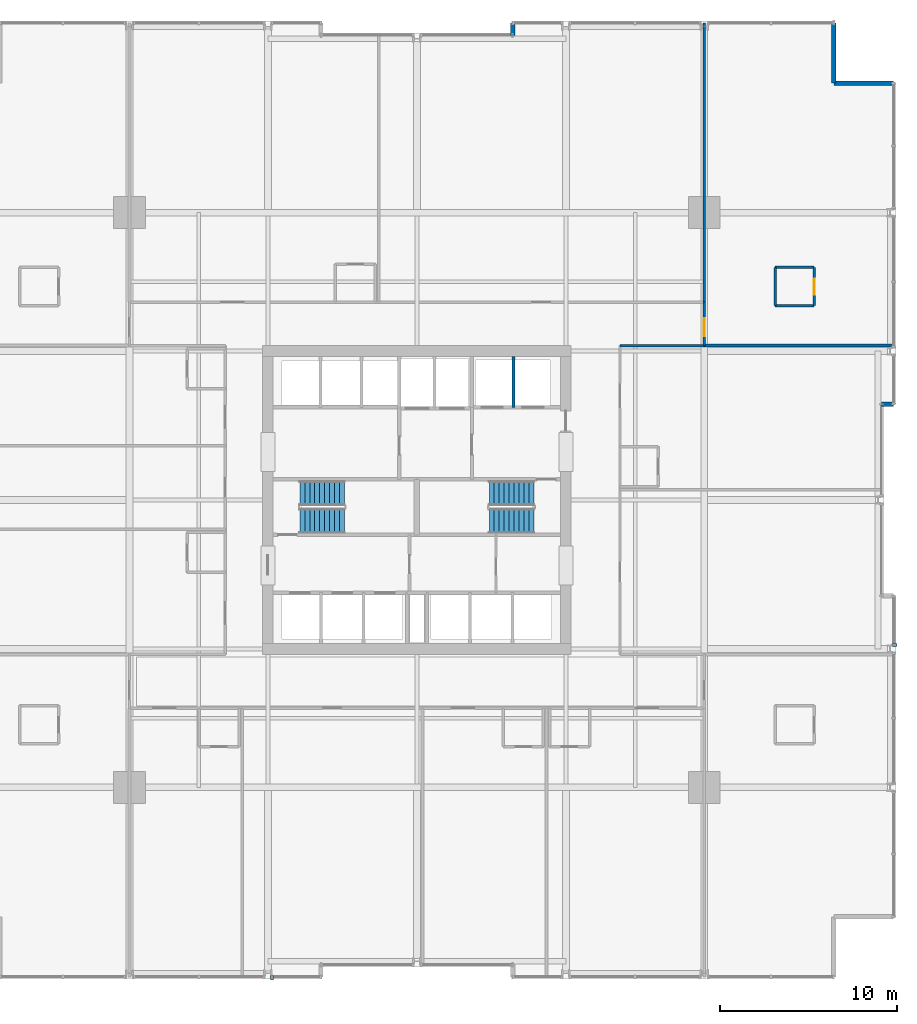
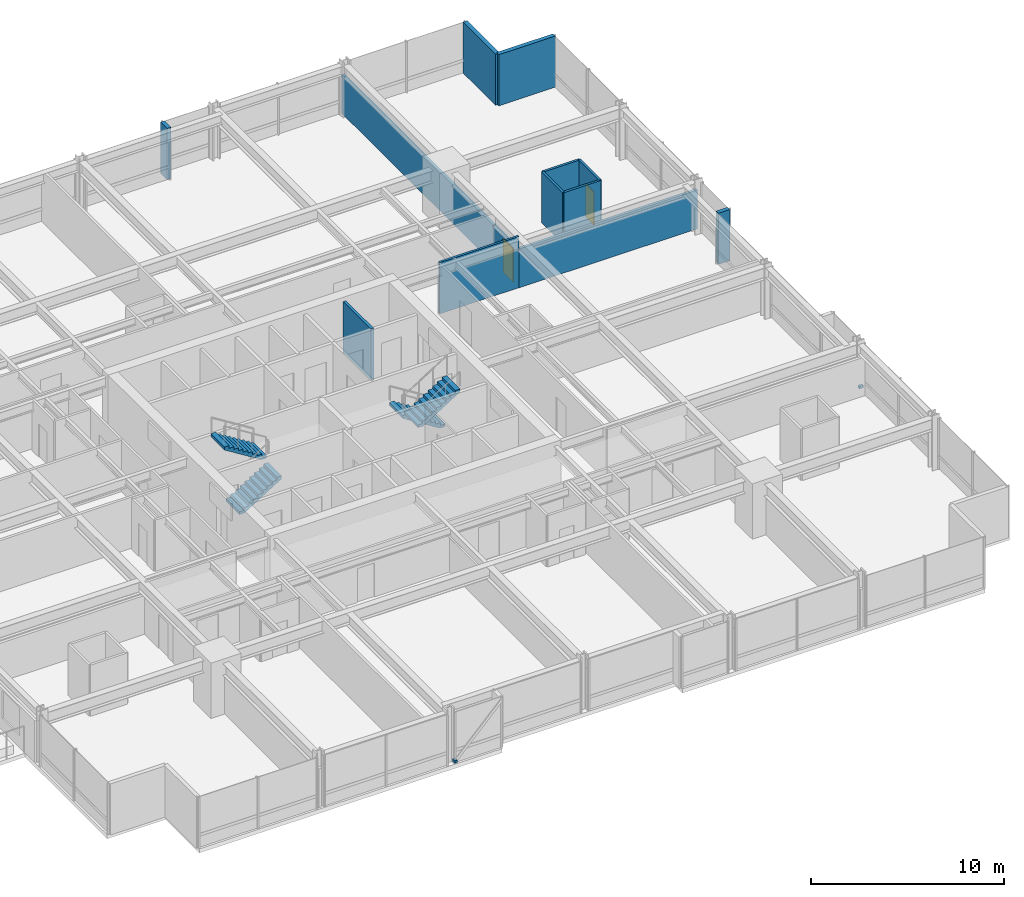
# One storey, part 33 of 37: 13 walls, 4 stair flights, 2 discrete accessories, 2 doors, 2 openings, 2 elements without a shape of their own.
"""IFC4 building model written with IfcOpenShell, lengths in metres."""

from ifc_helpers import new_model, si_unit, direction, frame, frame_2d, origin, origin_2d, place, context, subcontext, project, spatial, polyline, rectangle, outline, extrude, material, layer, layer_set, type_object, element, fill, aggregate, save


model = new_model("IFC4")

# Units and contexts
model_context = context("Model", 3, precision=1e-05, world=origin(), true_north=direction((0.0, 1.0)))
body_context = subcontext(model_context, "Body", "Model", "MODEL_VIEW")
ifc_project = project(units=[si_unit("LENGTHUNIT", "METRE"), si_unit("AREAUNIT", "SQUARE_METRE"), si_unit("VOLUMEUNIT", "CUBIC_METRE"), si_unit("PLANEANGLEUNIT", "RADIAN"), si_unit("MASSUNIT", "GRAM", prefix="KILO")], contexts=[model_context])

# Site, building, storey
site_placement = place(None, origin())
site = spatial("IfcSite", under=ifc_project, at=site_placement, CompositionType="ELEMENT")
building_placement = place(site_placement, origin())
building = spatial("IfcBuilding", under=site, at=building_placement, Name="Drelvath Grand Hotel", CompositionType="ELEMENT")
storey_placement = place(building_placement, frame((0.0, 0.0, 75.199951171875)))
storey = spatial("IfcBuildingStorey", under=building, at=storey_placement, Name="L18", CompositionType="ELEMENT", Elevation=75.199951171875)

# Walls
ifc_material_1 = material(Name="Gypsum Fireboard Partition")
ifc_layer_1 = layer(ifc_material_1, 0.1650390625)
ifc_layer_set_1 = layer_set([ifc_layer_1], Name="Gypsum Fireboard Partition")
wall_type_1 = type_object("IfcWallType", Name="Core Shaft Partition 165", PredefinedType="PARTITIONING", material=ifc_layer_set_1)
wall_1_placement = place(storey_placement, frame((5.449951171875, 32.219970703125, 0.0), z_axis=(0.0, 0.0, 1.0), x_axis=(0.0, 1.0, 0.0)))
element("IfcWall", 1, at=wall_1_placement, inside=storey, type_object=wall_type_1, Name="L18 FSAE Hoistway Divider", PredefinedType="PARTITIONING", context=body_context, shape_type="SweptSolid", body=[
    extrude(rectangle(XDim=2.880126953125, YDim=0.1650390625, at=frame_2d((1.43994140625, 0.0))), origin(), (0.0, 0.0, 1.0), 3.239990234375),
])
ifc_layer_2 = layer(ifc_material_1, 0.135009765625)
ifc_layer_set_2 = layer_set([ifc_layer_2], Name="Gypsum Fireboard Partition")
wall_type_2 = type_object("IfcWallType", Name="Corridor Fire Barrier Wall 135", PredefinedType="PARTITIONING", material=ifc_layer_set_2)
wall_2_placement = place(storey_placement, frame((11.449951171875, 35.699951171875, 0.0), z_axis=(0.0, 0.0, 1.0), x_axis=(1.0, 0.0, 0.0)))
element("IfcWall", 2, at=wall_2_placement, inside=storey, type_object=wall_type_2, Name="L18 NE Spur Inner Wall", PredefinedType="PARTITIONING", context=body_context, shape_type="SweptSolid", body=[
    extrude(rectangle(XDim=4.75, YDim=0.135009765625, at=frame_2d((2.375, 0.0))), origin(), (0.0, 0.0, 1.0), 3.239990234375),
])

# Wall, opening, door
wall_3_placement = place(storey_placement, frame((16.199951171875, 35.699951171875, 0.0), z_axis=(0.0, 0.0, 1.0), x_axis=(0.0, 1.0, 0.0)))
wall_3 = element("IfcWall", 3, at=wall_3_placement, inside=storey, type_object=wall_type_2, Name="L18 North Corridor East End", PredefinedType="PARTITIONING", context=body_context, shape_type="SweptSolid", body=[
    extrude(rectangle(XDim=2.449951171875, YDim=0.135009765625, at=frame_2d((1.22509765625, 0.0))), origin(), (0.0, 0.0, 1.0), 2.451904296875),
])
opening_1_placement = place(wall_3_placement, frame((0.52001953125, 0.0, 0.0)))
opening_1 = element("IfcOpeningElement", 4, at=opening_1_placement, cuts=wall_3, Name="Opening D-T1G5-023", PredefinedType="OPENING", context=body_context, shape_type="SweptSolid", body=[
    extrude(rectangle(XDim=1.02001953125, YDim=2.14990234375, at=frame_2d((0.510009765625, 1.074951171875))), frame((0.0, 0.077392578125, 0.0), z_axis=(0.0, -1.0, 0.0), x_axis=(1.0, 0.0, 0.0)), (0.0, 0.0, 1.0), 0.155029296875),
])
ifc_material_2 = material(Name="Hardwood Walnut Timber", Category="wood")
door_type_1 = type_object("IfcDoorType", Name="Amenity Meeting Fire Door 1020x2150", OperationType="NOTDEFINED", PredefinedType="DOOR", material=ifc_material_2)
door_1_placement = place(opening_1_placement, origin())
door_1 = element("IfcDoor", 5, at=door_1_placement, inside=storey, type_object=door_type_1, Name="L18 Corner Suite Entry Door", OperationType="SINGLE_SWING_RIGHT", OverallHeight=2.14990234375, OverallWidth=1.02001953125, PredefinedType="DOOR", context=body_context, shape_type="SweptSolid", body=[
    extrude(rectangle(XDim=1.02001953125, YDim=2.14990234375, at=frame_2d((0.510009765625, 1.074951171875))), frame((0.0, 0.02490234375, 0.0), z_axis=(0.0, -1.0, 0.0), x_axis=(1.0, 0.0, 0.0)), (0.0, 0.0, 1.0), 0.050048828125),
])
fill(opening_1, door_1)

# Walls
ifc_material_3 = material(Name="Moisture-Resistant Gypsum Board")
ifc_layer_3 = layer(ifc_material_3, 0.139892578125)
ifc_layer_set_3 = layer_set([ifc_layer_3], Name="Moisture-Resistant Gypsum Board")
wall_type_3 = type_object("IfcWallType", Name="En-Suite Plumbing Wall 140", PredefinedType="PLUMBINGWALL", material=ifc_layer_set_3)
for number, where, z_axis, x_axis, name in (
    (6, (20.199951171875, 37.9599609375, 0.0), (0.0, 0.0, 1.0), (1.0, 0.0, 0.0), "L18 Corner En-Suite South"),
    (7, (20.199951171875, 40.110107421875, 0.0), (0.0, 0.0, 1.0), (1.0, 0.0, 0.0), "L18 Corner En-Suite North"),
):
    element("IfcWall", number, at=place(storey_placement, frame(where, z_axis=z_axis, x_axis=x_axis)), inside=storey, type_object=wall_type_3, Name=name, PredefinedType="PLUMBINGWALL", context=body_context, shape_type="SweptSolid", body=[
        extrude(rectangle(XDim=2.199951171875, YDim=0.139892578125, at=frame_2d((1.10009765625, 0.0))), origin(), (0.0, 0.0, 1.0), 3.239990234375),
    ])
wall_4_placement = place(storey_placement, frame((20.199951171875, 37.9599609375, 0.0), z_axis=(0.0, 0.0, 1.0), x_axis=(0.0, 1.0, 0.0)))
element("IfcWall", 8, at=wall_4_placement, inside=storey, type_object=wall_type_3, Name="L18 Corner En-Suite West", PredefinedType="PLUMBINGWALL", context=body_context, shape_type="SweptSolid", body=[
    extrude(rectangle(XDim=2.150146484375, YDim=0.139892578125, at=frame_2d((1.0751953125, 0.0))), origin(), (0.0, 0.0, 1.0), 3.239990234375),
])

# Wall, opening, door
wall_5_placement = place(storey_placement, frame((22.39990234375, 37.9599609375, 0.0), z_axis=(0.0, 0.0, 1.0), x_axis=(0.0, 1.0, 0.0)))
wall_5 = element("IfcWall", 9, at=wall_5_placement, inside=storey, type_object=wall_type_3, Name="L18 Corner En-Suite East", PredefinedType="PLUMBINGWALL", context=body_context, shape_type="SweptSolid", body=[
    extrude(rectangle(XDim=2.150146484375, YDim=0.139892578125, at=frame_2d((1.0751953125, 0.0))), origin(), (0.0, 0.0, 1.0), 3.239990234375),
])
opening_2_placement = place(wall_5_placement, frame((0.6201171875, 0.0, 0.0)))
opening_2 = element("IfcOpeningElement", 10, at=opening_2_placement, cuts=wall_5, Name="Opening D-T1G5-022", PredefinedType="OPENING", context=body_context, shape_type="SweptSolid", body=[
    extrude(rectangle(XDim=0.8798828125, YDim=2.10009765625, at=frame_2d((0.43994140625, 1.050048828125))), frame((0.0, 0.079833984375, 0.0), z_axis=(0.0, -1.0, 0.0), x_axis=(1.0, 0.0, 0.0)), (0.0, 0.0, 1.0), 0.159912109375),
])
door_type_2 = type_object("IfcDoorType", Name="En-Suite Bathroom Door 880x2100", OperationType="NOTDEFINED", PredefinedType="DOOR", material=ifc_material_2)
door_2_placement = place(opening_2_placement, origin())
door_2 = element("IfcDoor", 11, at=door_2_placement, inside=storey, type_object=door_type_2, Name="L18 Corner En-Suite Door", OperationType="SINGLE_SWING_LEFT", OverallHeight=2.10009765625, OverallWidth=0.8798828125, PredefinedType="DOOR", context=body_context, shape_type="SweptSolid", body=[
    extrude(rectangle(XDim=0.8798828125, YDim=2.10009765625, at=frame_2d((0.43994140625, 1.050048828125))), frame((0.0, 0.02490234375, 0.0), z_axis=(0.0, -1.0, 0.0), x_axis=(1.0, 0.0, 0.0)), (0.0, 0.0, 1.0), 0.050048828125),
])
fill(opening_2, door_2)

# Walls
ifc_material_4 = material(Name="Gypsum Acoustic Partition")
ifc_layer_4 = layer(ifc_material_4, 0.1650390625)
ifc_layer_set_4 = layer_set([ifc_layer_4], Name="Gypsum Acoustic Partition")
wall_type_4 = type_object("IfcWallType", Name="Suite Demising Wall 165", PredefinedType="PARTITIONING", material=ifc_layer_set_4)
wall_6_placement = place(storey_placement, frame((16.199951171875, 38.14990234375, 0.0), z_axis=(0.0, 0.0, 1.0), x_axis=(0.0, 1.0, 0.0)))
element("IfcWall", 12, at=wall_6_placement, inside=storey, type_object=wall_type_4, Name="L18 NE Wing Boundary Wall", PredefinedType="PARTITIONING", context=body_context, shape_type="SweptSolid", body=[
    extrude(rectangle(XDim=15.72998046875, YDim=0.1650390625, at=frame_2d((7.864990234375, 0.0))), origin(), (0.0, 0.0, 1.0), 2.451904296875),
])
wall_7_placement = place(storey_placement, frame((16.199951171875, 35.699951171875, 0.0), z_axis=(0.0, 0.0, 1.0), x_axis=(1.0, 0.0, 0.0)))
element("IfcWall", 13, at=wall_7_placement, inside=storey, type_object=wall_type_4, Name="L18 NE Corner South Wall", PredefinedType="PARTITIONING", context=body_context, shape_type="SweptSolid", body=[
    extrude(rectangle(XDim=10.679931640625, YDim=0.1650390625, at=frame_2d((5.33984375, 0.0))), origin(), (0.0, 0.0, 1.0), 2.451904296875),
])
ifc_material_5 = material(Name="Pale-Metal Insulated Aluminium Spandrel Assembly", Category="aluminium")
ifc_layer_5 = layer(ifc_material_5, 0.239990234375)
ifc_layer_set_5 = layer_set([ifc_layer_5], Name="Pale-Metal Insulated Aluminium Spandrel Assembly")
wall_type_5 = type_object("IfcWallType", Name="Tower Insulated Metal Spandrel Closure Wall 240", PredefinedType="STANDARD", material=ifc_layer_set_5)
for number, where, z_axis, x_axis, name in (
    (14, (23.5, 53.8798828125, 0.0), (0.0, 0.0, 1.0), (0.0, -1.0, 0.0), "L18 Notched Corner Return Spandrel Wall CNE1"),
    (15, (23.5, 50.5, 0.0), (0.0, 0.0, 1.0), (1.0, 0.0, 0.0), "L18 Notched Corner Return Spandrel Wall CNE2"),
):
    element("IfcWall", number, at=place(storey_placement, frame(where, z_axis=z_axis, x_axis=x_axis)), inside=storey, type_object=wall_type_5, Name=name, PredefinedType="STANDARD", context=body_context, shape_type="SweptSolid", body=[
        extrude(rectangle(XDim=3.3798828125, YDim=0.239990234375, at=frame_2d((1.68994140625, 0.0))), origin(), (0.0, 0.0, 1.0), 3.239990234375),
    ])
for number, where, z_axis, x_axis, name in (
    (16, (26.8798828125, 32.39990234375, 0.0), (0.0, 0.0, 1.0), (-1.0, 0.0, 0.0), "L18 Notched Corner Return Spandrel Wall RE1"),
    (17, (5.39990234375, 53.199951171875, 0.0), (0.0, 0.0, 1.0), (0.0, 1.0, 0.0), "L18 Notched Corner Return Spandrel Wall RN2"),
):
    element("IfcWall", number, at=place(storey_placement, frame(where, z_axis=z_axis, x_axis=x_axis)), inside=storey, type_object=wall_type_5, Name=name, PredefinedType="STANDARD", context=body_context, shape_type="SweptSolid", body=[
        extrude(rectangle(XDim=0.679931640625, YDim=0.239990234375, at=frame_2d((0.33984375, 0.0))), origin(), (0.0, 0.0, 1.0), 3.239990234375),
    ])

# Stair, stair flights
ifc_material_6 = material(Name="Concrete C40/50", Category="concrete")
stair_type = type_object("IfcStairType", Name="Dogleg Exit Stair W1400-R175.0", PredefinedType="HALF_TURN_STAIR", material=ifc_material_6)
stair_1_placement = place(storey_placement, origin())
stair_1 = element("IfcStair", 18, at=stair_1_placement, inside=storey, type_object=stair_type, Name="L18 Core Exit Stair ST-1", PredefinedType="HALF_TURN_STAIR")
stair_flight_type = type_object("IfcStairFlightType", Name="Concrete Stair Flight W1400-R175.0", PredefinedType="STRAIGHT", material=ifc_material_6)
stair_flight_1_placement = place(storey_placement, frame((-6.60009765625, 25.820068359375, 0.0), z_axis=(0.0, 0.0, 1.0), x_axis=(1.0, 0.0, 0.0)))
stair_flight_1 = element("IfcStairFlight", 19, at=stair_flight_1_placement, type_object=stair_flight_type, Name="ST-1 flight 1", NumberOfRisers=10, NumberOfTreads=9, PredefinedType="STRAIGHT", RiserHeight=0.175, TreadLength=0.28, context=body_context, shape_type="SweptSolid", body=[
    extrude(outline(polyline([(0.0, 0.0), (0.0, 0.175048828125), (0.280029296875, 0.175048828125), (0.280029296875, 0.35009765625), (0.56005859375, 0.35009765625), (0.56005859375, 0.52490234375), (0.840087890625, 0.52490234375), (0.840087890625, 0.699951171875), (1.1201171875, 0.699951171875), (1.1201171875, 0.875), (1.39990234375, 0.875), (1.39990234375, 1.050048828125), (1.679931640625, 1.050048828125), (1.679931640625, 1.22509765625), (1.9599609375, 1.22509765625), (1.9599609375, 1.39990234375), (2.239990234375, 1.39990234375), (2.239990234375, 1.574951171875), (2.52001953125, 1.574951171875), (2.52001953125, 1.75), (2.52001953125, 1.386474609375), (0.3017578125, 0.0), (0.0, 0.0)])), frame((0.0, 0.699951171875, 0.0), z_axis=(0.0, -1.0, 0.0), x_axis=(1.0, 0.0, 0.0)), (0.0, 0.0, 1.0), 1.39990234375),
])
stair_flight_2_placement = place(storey_placement, frame((-4.080078125, 27.3798828125, 1.75), z_axis=(0.0, 0.0, 1.0), x_axis=(-1.0, 0.0, 0.0)))
stair_flight_2 = element("IfcStairFlight", 20, at=stair_flight_2_placement, type_object=stair_flight_type, Name="ST-1 flight 2", NumberOfRisers=10, NumberOfTreads=9, PredefinedType="STRAIGHT", RiserHeight=0.175, TreadLength=0.28, context=body_context, shape_type="SweptSolid", body=[
    extrude(outline(polyline([(0.0, 0.0), (0.0, 0.175048828125), (0.280029296875, 0.175048828125), (0.280029296875, 0.35009765625), (0.56005859375, 0.35009765625), (0.56005859375, 0.52490234375), (0.840087890625, 0.52490234375), (0.840087890625, 0.699951171875), (1.1201171875, 0.699951171875), (1.1201171875, 0.875), (1.39990234375, 0.875), (1.39990234375, 1.050048828125), (1.679931640625, 1.050048828125), (1.679931640625, 1.22509765625), (1.9599609375, 1.22509765625), (1.9599609375, 1.39990234375), (2.239990234375, 1.39990234375), (2.239990234375, 1.574951171875), (2.52001953125, 1.574951171875), (2.52001953125, 1.75), (2.52001953125, 1.386474609375), (0.3017578125, 0.0), (0.0, 0.0)])), frame((0.0, 0.699951171875, 0.0), z_axis=(0.0, -1.0, 0.0), x_axis=(1.0, 0.0, 0.0)), (0.0, 0.0, 1.0), 1.39990234375),
])
aggregate(stair_1, [stair_flight_1, stair_flight_2])

stair_2_placement = place(storey_placement, origin())
stair_2 = element("IfcStair", 21, at=stair_2_placement, inside=storey, type_object=stair_type, Name="L18 Core Exit Stair ST-2", PredefinedType="HALF_TURN_STAIR")
stair_flight_3_placement = place(storey_placement, frame((6.60009765625, 27.3798828125, 0.0), z_axis=(0.0, 0.0, 1.0), x_axis=(-1.0, 0.0, 0.0)))
stair_flight_3 = element("IfcStairFlight", 22, at=stair_flight_3_placement, type_object=stair_flight_type, Name="ST-2 flight 1", NumberOfRisers=10, NumberOfTreads=9, PredefinedType="STRAIGHT", RiserHeight=0.175, TreadLength=0.28, context=body_context, shape_type="SweptSolid", body=[
    extrude(outline(polyline([(0.0, 0.0), (0.0, 0.175048828125), (0.280029296875, 0.175048828125), (0.280029296875, 0.35009765625), (0.56005859375, 0.35009765625), (0.56005859375, 0.52490234375), (0.840087890625, 0.52490234375), (0.840087890625, 0.699951171875), (1.1201171875, 0.699951171875), (1.1201171875, 0.875), (1.39990234375, 0.875), (1.39990234375, 1.050048828125), (1.679931640625, 1.050048828125), (1.679931640625, 1.22509765625), (1.9599609375, 1.22509765625), (1.9599609375, 1.39990234375), (2.239990234375, 1.39990234375), (2.239990234375, 1.574951171875), (2.52001953125, 1.574951171875), (2.52001953125, 1.75), (2.52001953125, 1.386474609375), (0.3017578125, 0.0), (0.0, 0.0)])), frame((0.0, 0.699951171875, 0.0), z_axis=(0.0, -1.0, 0.0), x_axis=(1.0, 0.0, 0.0)), (0.0, 0.0, 1.0), 1.39990234375),
])
stair_flight_4_placement = place(storey_placement, frame((4.080078125, 25.820068359375, 1.75), z_axis=(0.0, 0.0, 1.0), x_axis=(1.0, 0.0, 0.0)))
stair_flight_4 = element("IfcStairFlight", 23, at=stair_flight_4_placement, type_object=stair_flight_type, Name="ST-2 flight 2", NumberOfRisers=10, NumberOfTreads=9, PredefinedType="STRAIGHT", RiserHeight=0.175, TreadLength=0.28, context=body_context, shape_type="SweptSolid", body=[
    extrude(outline(polyline([(0.0, 0.0), (0.0, 0.175048828125), (0.280029296875, 0.175048828125), (0.280029296875, 0.35009765625), (0.56005859375, 0.35009765625), (0.56005859375, 0.52490234375), (0.840087890625, 0.52490234375), (0.840087890625, 0.699951171875), (1.1201171875, 0.699951171875), (1.1201171875, 0.875), (1.39990234375, 0.875), (1.39990234375, 1.050048828125), (1.679931640625, 1.050048828125), (1.679931640625, 1.22509765625), (1.9599609375, 1.22509765625), (1.9599609375, 1.39990234375), (2.239990234375, 1.39990234375), (2.239990234375, 1.574951171875), (2.52001953125, 1.574951171875), (2.52001953125, 1.75), (2.52001953125, 1.386474609375), (0.3017578125, 0.0), (0.0, 0.0)])), frame((0.0, 0.699951171875, 0.0), z_axis=(0.0, -1.0, 0.0), x_axis=(1.0, 0.0, 0.0)), (0.0, 0.0, 1.0), 1.39990234375),
])
aggregate(stair_2, [stair_flight_3, stair_flight_4])

# Discrete accessories
ifc_material_7 = material(Name="Stainless Steel Grade 316", Category="steel")
discrete_accessory_type = type_object("IfcDiscreteAccessoryType", Name="Curtain Wall Fin Mounting Bracket Cleat", PredefinedType="BRACKET", material=ifc_material_7)
for number, where, z_axis, x_axis, name in (
    (24, (26.93994140625, 18.8291015625, 0.10009765625), (0.0, 0.0, 1.0), (0.0, -1.0, 0.0), "L18 Fin Mounting Bracket CW02-L18-ES3-1"),
    (25, (-8.1708984375, 0.06005859375, 0.10009765625), (0.0, 0.0, 1.0), (-1.0, 0.0, 0.0), "L18 Fin Mounting Bracket CW02-L18-SW3-1"),
):
    element("IfcDiscreteAccessory", number, at=place(storey_placement, frame(where, z_axis=z_axis, x_axis=x_axis)), inside=storey, type_object=discrete_accessory_type, Name=name, PredefinedType="BRACKET", context=body_context, shape_type="SweptSolid", body=[
        extrude(rectangle(XDim=0.159912109375, YDim=0.239990234375, at=origin_2d()), origin(), (0.0, 0.0, 1.0), 0.159912109375),
    ])

save(model, "model.ifc")
